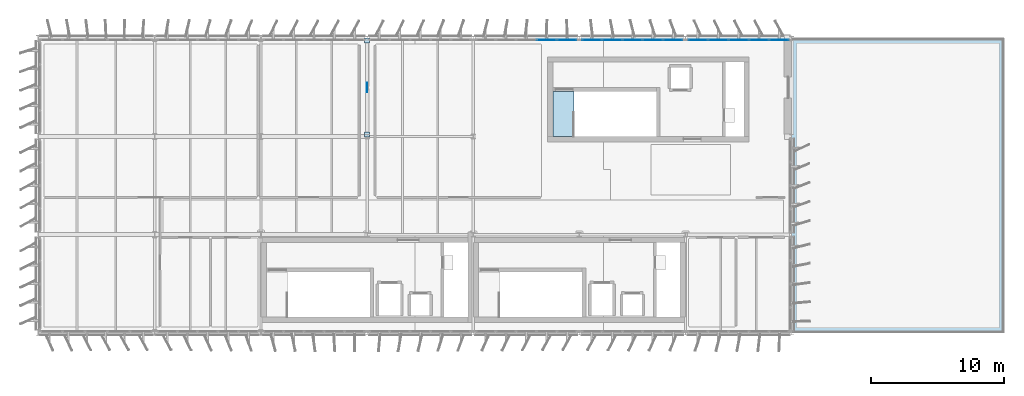
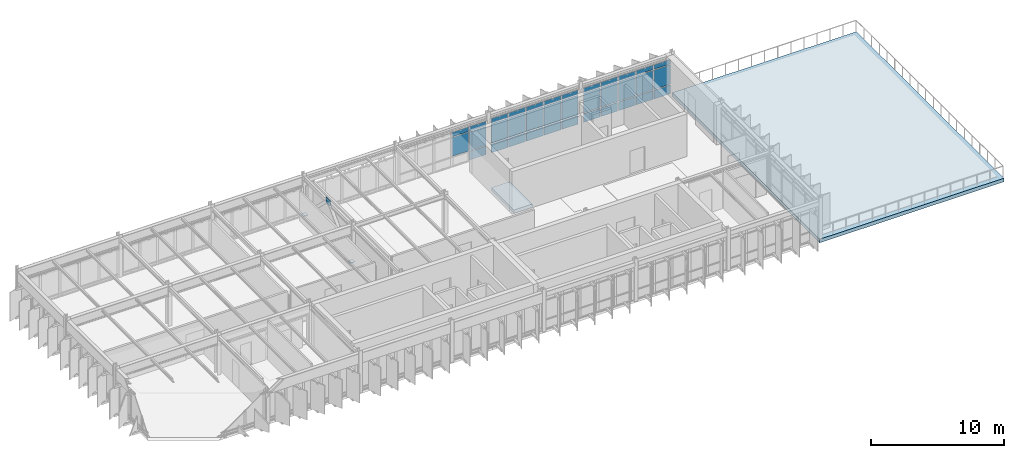
# One storey, part 14 of 20: 38 plates, 2 slabs, 3 elements without a shape of their own.
"""IFC4 building model written with IfcOpenShell, lengths in metres."""

from ifc_helpers import new_model, si_unit, direction, frame, origin, origin_2d, place, context, subcontext, project, spatial, polyline, rectangle, outline, extrude, material, layer, layer_set, type_object, element, aggregate, save


model = new_model("IFC4")

# Units and contexts
model_context = context("Model", 3, precision=1e-05, world=origin(), true_north=direction((0.0, 1.0)))
body_context = subcontext(model_context, "Body", "Model", "MODEL_VIEW")
ifc_project = project(units=[si_unit("LENGTHUNIT", "METRE"), si_unit("AREAUNIT", "SQUARE_METRE"), si_unit("VOLUMEUNIT", "CUBIC_METRE"), si_unit("PLANEANGLEUNIT", "RADIAN"), si_unit("MASSUNIT", "GRAM", prefix="KILO")], contexts=[model_context])

# Site, building, storey
site_placement = place(None, origin())
site = spatial("IfcSite", under=ifc_project, at=site_placement, CompositionType="ELEMENT")
building_placement = place(site_placement, origin())
building = spatial("IfcBuilding", under=site, at=building_placement, Name="Valkorina Park Police Headquarters", CompositionType="ELEMENT")
storey_placement = place(building_placement, frame((0.0, 0.0, 31.10009765625)))
storey = spatial("IfcBuildingStorey", under=building, at=storey_placement, Name="L08", CompositionType="ELEMENT", Elevation=31.10009765625)

# Curtain wall, plate
ifc_material_1 = material(Name="Thermally broken aluminium AW-6060", Category="aluminium")
ifc_layer_1 = layer(ifc_material_1, 0.18994140625)
ifc_layer_set_1 = layer_set([ifc_layer_1], Name="Thermally broken aluminium AW-6060")
curtain_wall_type_1 = type_object("IfcCurtainWallType", Name="CW-V5-7680x3210", PredefinedType="NOTDEFINED", material=ifc_layer_set_1)
curtain_wall_1_placement = place(storey_placement, origin())
curtain_wall_1 = element("IfcCurtainWall", 1, at=curtain_wall_1_placement, inside=storey, type_object=curtain_wall_type_1, Name="L08 Unitised Curtain Wall 170", PredefinedType="NOTDEFINED")
ifc_layer_2 = layer(ifc_material_1, 0.050048828125)
ifc_layer_set_2 = layer_set([ifc_layer_2], Name="Thermally broken aluminium AW-6060")
plate_type_1 = type_object("IfcPlateType", Name="PL-CWP-SPANDREL-50", PredefinedType="CURTAIN_PANEL", material=ifc_layer_set_2)
plate_1_placement = place(storey_placement, frame((39.8544921875, 59.080078125, 0.06982421875), z_axis=(0.0, 0.0, 1.0), x_axis=(1.0, 0.0, 0.0)))
plate_1 = element("IfcPlate", 2, at=plate_1_placement, type_object=plate_type_1, Name="CW-V5-768-321 panel 5.1", PredefinedType="CURTAIN_PANEL", context=body_context, shape_type="SweptSolid", body=[
    extrude(rectangle(XDim=1.430908203125, YDim=0.028076171875, at=origin_2d()), origin(), (0.0, 0.0, 1.0), 0.794921875),
])

# Curtain wall, plates
ifc_layer_3 = layer(ifc_material_1, 0.18994140625)
ifc_layer_set_3 = layer_set([ifc_layer_3], Name="Thermally broken aluminium AW-6060")
curtain_wall_type_2 = type_object("IfcCurtainWallType", Name="CW-V5-7680x3280", PredefinedType="NOTDEFINED", material=ifc_layer_set_3)
curtain_wall_2_placement = place(storey_placement, origin())
curtain_wall_2 = element("IfcCurtainWall", 3, at=curtain_wall_2_placement, inside=storey, type_object=curtain_wall_type_2, Name="L08 Unitised Curtain Wall 171", PredefinedType="NOTDEFINED")
plate_2_placement = place(storey_placement, frame((41.74560546875, 59.080078125, 0.06982421875), z_axis=(0.0, 0.0, 1.0), x_axis=(1.0, 0.0, 0.0)))
plate_2 = element("IfcPlate", 4, at=plate_2_placement, type_object=plate_type_1, Name="CW-V5-768-328 panel 1.1", PredefinedType="CURTAIN_PANEL", context=body_context, shape_type="SweptSolid", body=[
    extrude(rectangle(XDim=1.430908203125, YDim=0.028076171875, at=origin_2d()), origin(), (0.0, 0.0, 1.0), 0.794921875),
])
plate_3_placement = place(storey_placement, frame((43.263916015625, 59.080078125, 0.06982421875), z_axis=(0.0, 0.0, 1.0), x_axis=(1.0, 0.0, 0.0)))
plate_3 = element("IfcPlate", 5, at=plate_3_placement, type_object=plate_type_1, Name="CW-V5-768-328 panel 2.1", PredefinedType="CURTAIN_PANEL", context=body_context, shape_type="SweptSolid", body=[
    extrude(rectangle(XDim=1.466064453125, YDim=0.028076171875, at=origin_2d()), origin(), (0.0, 0.0, 1.0), 0.794921875),
])
plate_4_placement = place(storey_placement, frame((44.800048828125, 59.080078125, 0.06982421875), z_axis=(0.0, 0.0, 1.0), x_axis=(1.0, 0.0, 0.0)))
plate_4 = element("IfcPlate", 6, at=plate_4_placement, type_object=plate_type_1, Name="CW-V5-768-328 panel 3.1", PredefinedType="CURTAIN_PANEL", context=body_context, shape_type="SweptSolid", body=[
    extrude(rectangle(XDim=1.466064453125, YDim=0.028076171875, at=origin_2d()), origin(), (0.0, 0.0, 1.0), 0.794921875),
])
plate_5_placement = place(storey_placement, frame((46.3359375, 59.080078125, 0.06982421875), z_axis=(0.0, 0.0, 1.0), x_axis=(1.0, 0.0, 0.0)))
plate_5 = element("IfcPlate", 7, at=plate_5_placement, type_object=plate_type_1, Name="CW-V5-768-328 panel 4.1", PredefinedType="CURTAIN_PANEL", context=body_context, shape_type="SweptSolid", body=[
    extrude(rectangle(XDim=1.466064453125, YDim=0.028076171875, at=origin_2d()), origin(), (0.0, 0.0, 1.0), 0.794921875),
])
plate_6_placement = place(storey_placement, frame((47.8544921875, 59.080078125, 0.06982421875), z_axis=(0.0, 0.0, 1.0), x_axis=(1.0, 0.0, 0.0)))
plate_6 = element("IfcPlate", 8, at=plate_6_placement, type_object=plate_type_1, Name="CW-V5-768-328 panel 5.1", PredefinedType="CURTAIN_PANEL", context=body_context, shape_type="SweptSolid", body=[
    extrude(rectangle(XDim=1.430908203125, YDim=0.028076171875, at=origin_2d()), origin(), (0.0, 0.0, 1.0), 0.794921875),
])

curtain_wall_3_placement = place(storey_placement, origin())
curtain_wall_3 = element("IfcCurtainWall", 9, at=curtain_wall_3_placement, inside=storey, type_object=curtain_wall_type_2, Name="L08 Unitised Curtain Wall 172", PredefinedType="NOTDEFINED")
plate_7_placement = place(storey_placement, frame((49.74560546875, 59.080078125, 0.06982421875), z_axis=(0.0, 0.0, 1.0), x_axis=(1.0, 0.0, 0.0)))
plate_7 = element("IfcPlate", 10, at=plate_7_placement, type_object=plate_type_1, Name="CW-V5-768-328 panel 1.1", PredefinedType="CURTAIN_PANEL", context=body_context, shape_type="SweptSolid", body=[
    extrude(rectangle(XDim=1.430908203125, YDim=0.028076171875, at=origin_2d()), origin(), (0.0, 0.0, 1.0), 0.794921875),
])
plate_8_placement = place(storey_placement, frame((51.263916015625, 59.080078125, 0.06982421875), z_axis=(0.0, 0.0, 1.0), x_axis=(1.0, 0.0, 0.0)))
plate_8 = element("IfcPlate", 11, at=plate_8_placement, type_object=plate_type_1, Name="CW-V5-768-328 panel 2.1", PredefinedType="CURTAIN_PANEL", context=body_context, shape_type="SweptSolid", body=[
    extrude(rectangle(XDim=1.466064453125, YDim=0.028076171875, at=origin_2d()), origin(), (0.0, 0.0, 1.0), 0.794921875),
])
plate_9_placement = place(storey_placement, frame((52.800048828125, 59.080078125, 0.06982421875), z_axis=(0.0, 0.0, 1.0), x_axis=(1.0, 0.0, 0.0)))
plate_9 = element("IfcPlate", 12, at=plate_9_placement, type_object=plate_type_1, Name="CW-V5-768-328 panel 3.1", PredefinedType="CURTAIN_PANEL", context=body_context, shape_type="SweptSolid", body=[
    extrude(rectangle(XDim=1.466064453125, YDim=0.028076171875, at=origin_2d()), origin(), (0.0, 0.0, 1.0), 0.794921875),
])
plate_10_placement = place(storey_placement, frame((54.3359375, 59.080078125, 0.06982421875), z_axis=(0.0, 0.0, 1.0), x_axis=(1.0, 0.0, 0.0)))
plate_10 = element("IfcPlate", 13, at=plate_10_placement, type_object=plate_type_1, Name="CW-V5-768-328 panel 4.1", PredefinedType="CURTAIN_PANEL", context=body_context, shape_type="SweptSolid", body=[
    extrude(rectangle(XDim=1.466064453125, YDim=0.028076171875, at=origin_2d()), origin(), (0.0, 0.0, 1.0), 0.794921875),
])
plate_11_placement = place(storey_placement, frame((55.8544921875, 59.080078125, 0.06982421875), z_axis=(0.0, 0.0, 1.0), x_axis=(1.0, 0.0, 0.0)))
plate_11 = element("IfcPlate", 14, at=plate_11_placement, type_object=plate_type_1, Name="CW-V5-768-328 panel 5.1", PredefinedType="CURTAIN_PANEL", context=body_context, shape_type="SweptSolid", body=[
    extrude(rectangle(XDim=1.430908203125, YDim=0.028076171875, at=origin_2d()), origin(), (0.0, 0.0, 1.0), 0.794921875),
])

# Plate
ifc_material_2 = material(Name="Triple low-E insulated glazing", Category="glass")
ifc_layer_4 = layer(ifc_material_2, 0.028076171875)
ifc_layer_set_4 = layer_set([ifc_layer_4], Name="Triple low-E insulated glazing")
plate_type_2 = type_object("IfcPlateType", Name="PL-CWP-VISION-28", PredefinedType="CURTAIN_PANEL", material=ifc_layer_set_4)
plate_12_placement = place(storey_placement, frame((38.3359375, 59.080078125, 0.93505859375), z_axis=(0.0, 0.0, 1.0), x_axis=(1.0, 0.0, 0.0)))
plate_12 = element("IfcPlate", 15, at=plate_12_placement, type_object=plate_type_2, Name="CW-V5-768-321 panel 4.2", PredefinedType="CURTAIN_PANEL", context=body_context, shape_type="SweptSolid", body=[
    extrude(rectangle(XDim=1.466064453125, YDim=0.028076171875, at=origin_2d()), origin(), (0.0, 0.0, 1.0), 1.719970703125),
])

plate_13_placement = place(storey_placement, frame((38.3359375, 59.080078125, 2.724853515625), z_axis=(0.0, 0.0, 1.0), x_axis=(1.0, 0.0, 0.0)))
plate_13 = element("IfcPlate", 16, at=plate_13_placement, type_object=plate_type_2, Name="CW-V5-768-321 panel 4.3", PredefinedType="CURTAIN_PANEL", context=body_context, shape_type="SweptSolid", body=[
    extrude(rectangle(XDim=1.466064453125, YDim=0.028076171875, at=origin_2d()), origin(), (0.0, 0.0, 1.0), 0.4150390625),
])

plate_14_placement = place(storey_placement, frame((39.8544921875, 59.080078125, 0.93505859375), z_axis=(0.0, 0.0, 1.0), x_axis=(1.0, 0.0, 0.0)))
plate_14 = element("IfcPlate", 17, at=plate_14_placement, type_object=plate_type_2, Name="CW-V5-768-321 panel 5.2", PredefinedType="CURTAIN_PANEL", context=body_context, shape_type="SweptSolid", body=[
    extrude(rectangle(XDim=1.430908203125, YDim=0.028076171875, at=origin_2d()), origin(), (0.0, 0.0, 1.0), 1.719970703125),
])

plate_15_placement = place(storey_placement, frame((39.8544921875, 59.080078125, 2.724853515625), z_axis=(0.0, 0.0, 1.0), x_axis=(1.0, 0.0, 0.0)))
plate_15 = element("IfcPlate", 18, at=plate_15_placement, type_object=plate_type_2, Name="CW-V5-768-321 panel 5.3", PredefinedType="CURTAIN_PANEL", context=body_context, shape_type="SweptSolid", body=[
    extrude(rectangle(XDim=1.430908203125, YDim=0.028076171875, at=origin_2d()), origin(), (0.0, 0.0, 1.0), 0.4150390625),
])

aggregate(curtain_wall_1, [plate_12, plate_13, plate_1, plate_14, plate_15])

plate_16_placement = place(storey_placement, frame((41.74560546875, 59.080078125, 0.934814453125), z_axis=(0.0, 0.0, 1.0), x_axis=(1.0, 0.0, 0.0)))
plate_16 = element("IfcPlate", 19, at=plate_16_placement, type_object=plate_type_2, Name="CW-V5-768-328 panel 1.2", PredefinedType="CURTAIN_PANEL", context=body_context, shape_type="SweptSolid", body=[
    extrude(rectangle(XDim=1.430908203125, YDim=0.028076171875, at=origin_2d()), origin(), (0.0, 0.0, 1.0), 1.7900390625),
])

plate_17_placement = place(storey_placement, frame((41.74560546875, 59.080078125, 2.794921875), z_axis=(0.0, 0.0, 1.0), x_axis=(1.0, 0.0, 0.0)))
plate_17 = element("IfcPlate", 20, at=plate_17_placement, type_object=plate_type_2, Name="CW-V5-768-328 panel 1.3", PredefinedType="CURTAIN_PANEL", context=body_context, shape_type="SweptSolid", body=[
    extrude(rectangle(XDim=1.430908203125, YDim=0.028076171875, at=origin_2d()), origin(), (0.0, 0.0, 1.0), 0.4150390625),
])

plate_18_placement = place(storey_placement, frame((43.263916015625, 59.080078125, 0.934814453125), z_axis=(0.0, 0.0, 1.0), x_axis=(1.0, 0.0, 0.0)))
plate_18 = element("IfcPlate", 21, at=plate_18_placement, type_object=plate_type_2, Name="CW-V5-768-328 panel 2.2", PredefinedType="CURTAIN_PANEL", context=body_context, shape_type="SweptSolid", body=[
    extrude(rectangle(XDim=1.466064453125, YDim=0.028076171875, at=origin_2d()), origin(), (0.0, 0.0, 1.0), 1.7900390625),
])

plate_19_placement = place(storey_placement, frame((43.263916015625, 59.080078125, 2.794921875), z_axis=(0.0, 0.0, 1.0), x_axis=(1.0, 0.0, 0.0)))
plate_19 = element("IfcPlate", 22, at=plate_19_placement, type_object=plate_type_2, Name="CW-V5-768-328 panel 2.3", PredefinedType="CURTAIN_PANEL", context=body_context, shape_type="SweptSolid", body=[
    extrude(rectangle(XDim=1.466064453125, YDim=0.028076171875, at=origin_2d()), origin(), (0.0, 0.0, 1.0), 0.4150390625),
])

plate_20_placement = place(storey_placement, frame((44.800048828125, 59.080078125, 0.934814453125), z_axis=(0.0, 0.0, 1.0), x_axis=(1.0, 0.0, 0.0)))
plate_20 = element("IfcPlate", 23, at=plate_20_placement, type_object=plate_type_2, Name="CW-V5-768-328 panel 3.2", PredefinedType="CURTAIN_PANEL", context=body_context, shape_type="SweptSolid", body=[
    extrude(rectangle(XDim=1.466064453125, YDim=0.028076171875, at=origin_2d()), origin(), (0.0, 0.0, 1.0), 1.7900390625),
])

plate_21_placement = place(storey_placement, frame((44.800048828125, 59.080078125, 2.794921875), z_axis=(0.0, 0.0, 1.0), x_axis=(1.0, 0.0, 0.0)))
plate_21 = element("IfcPlate", 24, at=plate_21_placement, type_object=plate_type_2, Name="CW-V5-768-328 panel 3.3", PredefinedType="CURTAIN_PANEL", context=body_context, shape_type="SweptSolid", body=[
    extrude(rectangle(XDim=1.466064453125, YDim=0.028076171875, at=origin_2d()), origin(), (0.0, 0.0, 1.0), 0.4150390625),
])

plate_22_placement = place(storey_placement, frame((46.3359375, 59.080078125, 0.934814453125), z_axis=(0.0, 0.0, 1.0), x_axis=(1.0, 0.0, 0.0)))
plate_22 = element("IfcPlate", 25, at=plate_22_placement, type_object=plate_type_2, Name="CW-V5-768-328 panel 4.2", PredefinedType="CURTAIN_PANEL", context=body_context, shape_type="SweptSolid", body=[
    extrude(rectangle(XDim=1.466064453125, YDim=0.028076171875, at=origin_2d()), origin(), (0.0, 0.0, 1.0), 1.7900390625),
])

plate_23_placement = place(storey_placement, frame((46.3359375, 59.080078125, 2.794921875), z_axis=(0.0, 0.0, 1.0), x_axis=(1.0, 0.0, 0.0)))
plate_23 = element("IfcPlate", 26, at=plate_23_placement, type_object=plate_type_2, Name="CW-V5-768-328 panel 4.3", PredefinedType="CURTAIN_PANEL", context=body_context, shape_type="SweptSolid", body=[
    extrude(rectangle(XDim=1.466064453125, YDim=0.028076171875, at=origin_2d()), origin(), (0.0, 0.0, 1.0), 0.4150390625),
])

plate_24_placement = place(storey_placement, frame((47.8544921875, 59.080078125, 0.934814453125), z_axis=(0.0, 0.0, 1.0), x_axis=(1.0, 0.0, 0.0)))
plate_24 = element("IfcPlate", 27, at=plate_24_placement, type_object=plate_type_2, Name="CW-V5-768-328 panel 5.2", PredefinedType="CURTAIN_PANEL", context=body_context, shape_type="SweptSolid", body=[
    extrude(rectangle(XDim=1.430908203125, YDim=0.028076171875, at=origin_2d()), origin(), (0.0, 0.0, 1.0), 1.7900390625),
])

plate_25_placement = place(storey_placement, frame((47.8544921875, 59.080078125, 2.794921875), z_axis=(0.0, 0.0, 1.0), x_axis=(1.0, 0.0, 0.0)))
plate_25 = element("IfcPlate", 28, at=plate_25_placement, type_object=plate_type_2, Name="CW-V5-768-328 panel 5.3", PredefinedType="CURTAIN_PANEL", context=body_context, shape_type="SweptSolid", body=[
    extrude(rectangle(XDim=1.430908203125, YDim=0.028076171875, at=origin_2d()), origin(), (0.0, 0.0, 1.0), 0.4150390625),
])

aggregate(curtain_wall_2, [plate_2, plate_16, plate_17, plate_3, plate_18, plate_19, plate_4, plate_20, plate_21, plate_5, plate_22, plate_23, plate_6, plate_24, plate_25])

plate_26_placement = place(storey_placement, frame((49.74560546875, 59.080078125, 0.934814453125), z_axis=(0.0, 0.0, 1.0), x_axis=(1.0, 0.0, 0.0)))
plate_26 = element("IfcPlate", 29, at=plate_26_placement, type_object=plate_type_2, Name="CW-V5-768-328 panel 1.2", PredefinedType="CURTAIN_PANEL", context=body_context, shape_type="SweptSolid", body=[
    extrude(rectangle(XDim=1.430908203125, YDim=0.028076171875, at=origin_2d()), origin(), (0.0, 0.0, 1.0), 1.7900390625),
])

plate_27_placement = place(storey_placement, frame((49.74560546875, 59.080078125, 2.794921875), z_axis=(0.0, 0.0, 1.0), x_axis=(1.0, 0.0, 0.0)))
plate_27 = element("IfcPlate", 30, at=plate_27_placement, type_object=plate_type_2, Name="CW-V5-768-328 panel 1.3", PredefinedType="CURTAIN_PANEL", context=body_context, shape_type="SweptSolid", body=[
    extrude(rectangle(XDim=1.430908203125, YDim=0.028076171875, at=origin_2d()), origin(), (0.0, 0.0, 1.0), 0.4150390625),
])

plate_28_placement = place(storey_placement, frame((51.263916015625, 59.080078125, 0.934814453125), z_axis=(0.0, 0.0, 1.0), x_axis=(1.0, 0.0, 0.0)))
plate_28 = element("IfcPlate", 31, at=plate_28_placement, type_object=plate_type_2, Name="CW-V5-768-328 panel 2.2", PredefinedType="CURTAIN_PANEL", context=body_context, shape_type="SweptSolid", body=[
    extrude(rectangle(XDim=1.466064453125, YDim=0.028076171875, at=origin_2d()), origin(), (0.0, 0.0, 1.0), 1.7900390625),
])

plate_29_placement = place(storey_placement, frame((51.263916015625, 59.080078125, 2.794921875), z_axis=(0.0, 0.0, 1.0), x_axis=(1.0, 0.0, 0.0)))
plate_29 = element("IfcPlate", 32, at=plate_29_placement, type_object=plate_type_2, Name="CW-V5-768-328 panel 2.3", PredefinedType="CURTAIN_PANEL", context=body_context, shape_type="SweptSolid", body=[
    extrude(rectangle(XDim=1.466064453125, YDim=0.028076171875, at=origin_2d()), origin(), (0.0, 0.0, 1.0), 0.4150390625),
])

plate_30_placement = place(storey_placement, frame((52.800048828125, 59.080078125, 0.934814453125), z_axis=(0.0, 0.0, 1.0), x_axis=(1.0, 0.0, 0.0)))
plate_30 = element("IfcPlate", 33, at=plate_30_placement, type_object=plate_type_2, Name="CW-V5-768-328 panel 3.2", PredefinedType="CURTAIN_PANEL", context=body_context, shape_type="SweptSolid", body=[
    extrude(rectangle(XDim=1.466064453125, YDim=0.028076171875, at=origin_2d()), origin(), (0.0, 0.0, 1.0), 1.7900390625),
])

plate_31_placement = place(storey_placement, frame((52.800048828125, 59.080078125, 2.794921875), z_axis=(0.0, 0.0, 1.0), x_axis=(1.0, 0.0, 0.0)))
plate_31 = element("IfcPlate", 34, at=plate_31_placement, type_object=plate_type_2, Name="CW-V5-768-328 panel 3.3", PredefinedType="CURTAIN_PANEL", context=body_context, shape_type="SweptSolid", body=[
    extrude(rectangle(XDim=1.466064453125, YDim=0.028076171875, at=origin_2d()), origin(), (0.0, 0.0, 1.0), 0.4150390625),
])

plate_32_placement = place(storey_placement, frame((54.3359375, 59.080078125, 0.934814453125), z_axis=(0.0, 0.0, 1.0), x_axis=(1.0, 0.0, 0.0)))
plate_32 = element("IfcPlate", 35, at=plate_32_placement, type_object=plate_type_2, Name="CW-V5-768-328 panel 4.2", PredefinedType="CURTAIN_PANEL", context=body_context, shape_type="SweptSolid", body=[
    extrude(rectangle(XDim=1.466064453125, YDim=0.028076171875, at=origin_2d()), origin(), (0.0, 0.0, 1.0), 1.7900390625),
])

plate_33_placement = place(storey_placement, frame((54.3359375, 59.080078125, 2.794921875), z_axis=(0.0, 0.0, 1.0), x_axis=(1.0, 0.0, 0.0)))
plate_33 = element("IfcPlate", 36, at=plate_33_placement, type_object=plate_type_2, Name="CW-V5-768-328 panel 4.3", PredefinedType="CURTAIN_PANEL", context=body_context, shape_type="SweptSolid", body=[
    extrude(rectangle(XDim=1.466064453125, YDim=0.028076171875, at=origin_2d()), origin(), (0.0, 0.0, 1.0), 0.4150390625),
])

plate_34_placement = place(storey_placement, frame((55.8544921875, 59.080078125, 0.934814453125), z_axis=(0.0, 0.0, 1.0), x_axis=(1.0, 0.0, 0.0)))
plate_34 = element("IfcPlate", 37, at=plate_34_placement, type_object=plate_type_2, Name="CW-V5-768-328 panel 5.2", PredefinedType="CURTAIN_PANEL", context=body_context, shape_type="SweptSolid", body=[
    extrude(rectangle(XDim=1.430908203125, YDim=0.028076171875, at=origin_2d()), origin(), (0.0, 0.0, 1.0), 1.7900390625),
])

plate_35_placement = place(storey_placement, frame((55.8544921875, 59.080078125, 2.794921875), z_axis=(0.0, 0.0, 1.0), x_axis=(1.0, 0.0, 0.0)))
plate_35 = element("IfcPlate", 38, at=plate_35_placement, type_object=plate_type_2, Name="CW-V5-768-328 panel 5.3", PredefinedType="CURTAIN_PANEL", context=body_context, shape_type="SweptSolid", body=[
    extrude(rectangle(XDim=1.430908203125, YDim=0.028076171875, at=origin_2d()), origin(), (0.0, 0.0, 1.0), 0.4150390625),
])

aggregate(curtain_wall_3, [plate_7, plate_26, plate_27, plate_8, plate_28, plate_29, plate_9, plate_30, plate_31, plate_10, plate_32, plate_33, plate_11, plate_34, plate_35])

# Plates
ifc_material_3 = material(Name="Steel S355", Category="steel")
ifc_layer_5 = layer(ifc_material_3, 0.02001953125)
ifc_layer_set_5 = layer_set([ifc_layer_5], Name="Steel S355")
plate_type_3 = type_object("IfcPlateType", Name="PL-ENDCAP-20", PredefinedType="USERDEFINED", material=ifc_layer_set_5)
for number, where, z_axis, x_axis, name in (
    (39, (24.800048828125, 51.965087890625, 0.08984375), (0.0, 0.0, 1.0), (1.0, 0.0, 0.0), "Brace Base End Cap Plate 217"),
    (40, (24.800048828125, 59.050048828125, 0.08984375), (0.0, 0.0, 1.0), (1.0, 0.0, 0.0), "Brace Base End Cap Plate 218"),
):
    element("IfcPlate", number, at=place(storey_placement, frame(where, z_axis=z_axis, x_axis=x_axis)), inside=storey, type_object=plate_type_3, Name=name, ObjectType="END CAP PLATE", PredefinedType="USERDEFINED", context=body_context, shape_type="SweptSolid", body=[
        extrude(rectangle(XDim=0.3798828125, YDim=0.3798828125, at=origin_2d()), origin(), (0.0, 0.0, 1.0), 0.02001953125),
    ])
ifc_layer_6 = layer(ifc_material_3, 0.01611328125)
ifc_layer_set_6 = layer_set([ifc_layer_6], Name="Steel S355")
plate_type_4 = type_object("IfcPlateType", Name="PL-GUSSET-16", PredefinedType="USERDEFINED", material=ifc_layer_set_6)
plate_36_placement = place(storey_placement, frame((24.800048828125, 55.5, 3.18505859375), z_axis=(0.0, 0.0, 1.0), x_axis=(1.0, 0.0, 0.0)))
element("IfcPlate", 41, at=plate_36_placement, inside=storey, type_object=plate_type_4, Name="Chevron Apex Gusset Plate CBF-16 219", ObjectType="GUSSET PLATE", PredefinedType="USERDEFINED", context=body_context, shape_type="SweptSolid", body=[
    extrude(rectangle(XDim=0.01611328125, YDim=0.699951171875, at=origin_2d()), origin(), (0.0, 0.0, 1.0), 0.550048828125),
])

# Slabs
ifc_material_4 = material(Name="Concrete C35/45", Category="concrete")
ifc_layer_7 = layer(ifc_material_4, 0.330078125)
ifc_layer_set_7 = layer_set([ifc_layer_7], Name="Concrete C35/45")
slab_type_1 = type_object("IfcSlabType", Name="SL-TERRACE-EXT-350", PredefinedType="FLOOR", material=ifc_layer_set_7)
slab_1_placement = place(storey_placement, frame((0.0, 0.0, -0.330078125)))
element("IfcSlab", 42, at=slab_1_placement, inside=storey, type_object=slab_type_1, Name="L08 Executive Park-View Terrace", PredefinedType="FLOOR", context=body_context, shape_type="SweptSolid", body=[
    extrude(outline(polyline([(72.800048828125, 59.19189453125), (56.800048828125, 59.19189453125), (56.800048828125, 37.0), (72.800048828125, 37.0), (72.800048828125, 59.19189453125)])), origin(), (0.0, 0.0, 1.0), 0.330078125),
])
ifc_material_5 = material(Name="Concrete C40/50", Category="concrete")
ifc_layer_8 = layer(ifc_material_5, 0.300048828125)
ifc_layer_set_8 = layer_set([ifc_layer_8], Name="Concrete C40/50")
slab_type_2 = type_object("IfcSlabType", Name="SL-VAULT-300", PredefinedType="FLOOR", material=ifc_layer_set_8)
slab_2_placement = place(storey_placement, frame((0.0, 0.0, -0.300048828125)))
element("IfcSlab", 43, at=slab_2_placement, inside=storey, type_object=slab_type_2, Name="L08 Core C3 Structural Floor Landing Slab", PredefinedType="FLOOR", context=body_context, shape_type="SweptSolid", body=[
    extrude(outline(polyline([(38.800048828125, 51.800048828125), (40.39990234375, 51.800048828125), (40.39990234375, 55.199951171875), (38.800048828125, 55.199951171875), (38.800048828125, 51.800048828125)])), origin(), (0.0, 0.0, 1.0), 0.300048828125),
])

save(model, "model.ifc")
